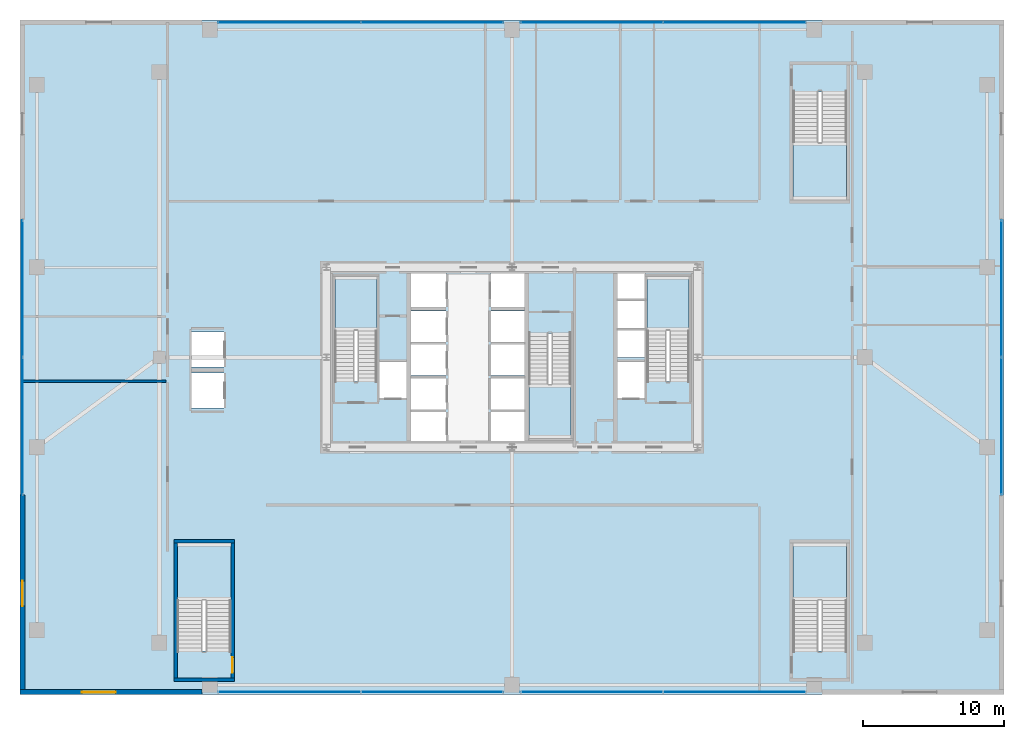
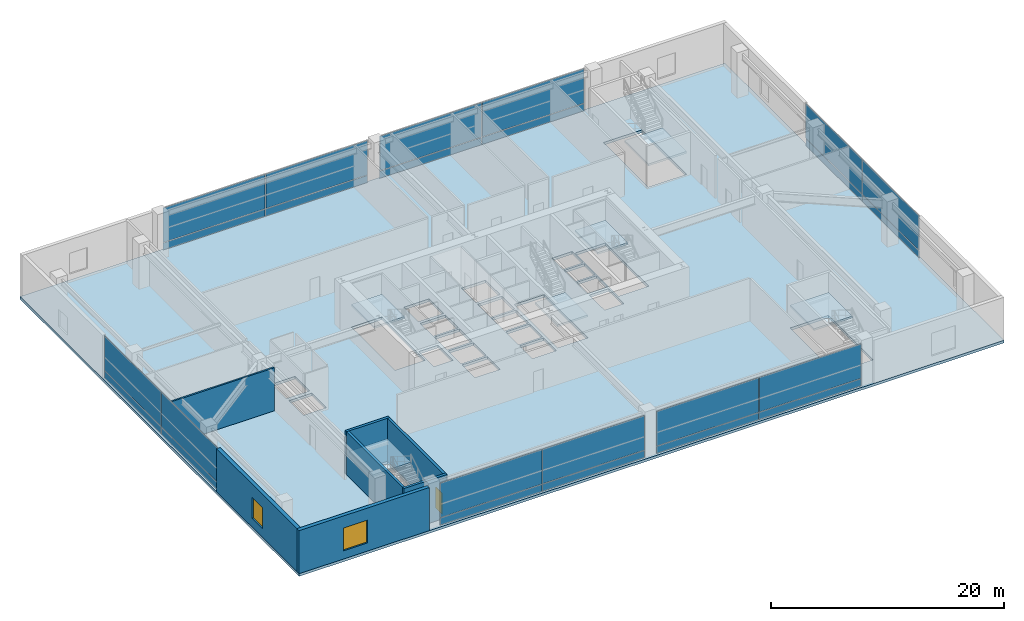
# One storey, part 32 of 38: 24 plates, 7 slabs, 7 walls, 2 windows, 1 door, 3 openings, 12 elements without a shape of their own.
"""IFC4 building model written with IfcOpenShell, lengths in metres."""

from ifc_helpers import new_model, si_unit, direction, frame, frame_2d, origin, origin_2d, place, context, subcontext, project, spatial, polyline, rectangle, outline, extrude, source, transform, mapped, material, layer, layer_set, type_object, element, fill, aggregate, save


model = new_model("IFC4")

# Units and contexts
model_context = context("Model", 3, precision=1e-05, world=origin(), true_north=direction((0.0, 1.0)))
body_context = subcontext(model_context, "Body", "Model", "MODEL_VIEW")
ifc_project = project(units=[si_unit("LENGTHUNIT", "METRE"), si_unit("AREAUNIT", "SQUARE_METRE"), si_unit("VOLUMEUNIT", "CUBIC_METRE"), si_unit("PLANEANGLEUNIT", "RADIAN"), si_unit("MASSUNIT", "GRAM", prefix="KILO"), si_unit("THERMODYNAMICTEMPERATUREUNIT", "KELVIN"), si_unit("POWERUNIT", "WATT")], contexts=[model_context])

# Site, building, storey
site_placement = place(None, origin())
site = spatial("IfcSite", under=ifc_project, at=site_placement, CompositionType="ELEMENT")
building_placement = place(site_placement, origin())
building = spatial("IfcBuilding", under=site, at=building_placement, Name="Yuzanri Waterfront Tower", CompositionType="ELEMENT")
storey_placement = place(building_placement, frame((0.0, 0.0, 10.199951171875)))
storey = spatial("IfcBuildingStorey", under=building, at=storey_placement, Name="L03", CompositionType="ELEMENT", Elevation=10.199951171875)

# Stair, slab
ifc_material_1 = material(Name="Concrete C40", Category="concrete")
stair_type_1 = type_object("IfcStairType", Name="Concrete C40 Core Dogleg Exit Stair", PredefinedType="HALF_TURN_STAIR", material=ifc_material_1)
stair_1_placement = place(storey_placement, origin())
stair_1 = element("IfcStair", 1, at=stair_1_placement, inside=storey, type_object=stair_type_1, Name="L03 Smoke-Proof Core Stair ST-01", PredefinedType="HALF_TURN_STAIR")
ifc_material_2 = material(Name="Concrete C40", Category="concrete")
ifc_layer_1 = layer(ifc_material_2, 0.179931640625)
ifc_layer_set_1 = layer_set([ifc_layer_1], Name="Concrete C40")
slab_type_1 = type_object("IfcSlabType", Name="Concrete C40 Stair Half-Landing Slab 180", PredefinedType="LANDING", material=ifc_layer_set_1)
slab_1_placement = place(storey_placement, frame((0.0, 0.0, 2.199951171875)))
slab_1 = element("IfcSlab", 2, at=slab_1_placement, type_object=slab_type_1, Name="ST-01 landing 1", PredefinedType="LANDING", context=body_context, shape_type="SweptSolid", body=[
    extrude(outline(polyline([(27.39990234375, 27.679931640625), (27.39990234375, 31.580078125), (24.39990234375, 31.580078125), (24.39990234375, 27.679931640625), (27.39990234375, 27.679931640625)])), origin(), (0.0, 0.0, 1.0), 0.2001953125),
])
aggregate(stair_1, [slab_1])

stair_2_placement = place(storey_placement, origin())
stair_2 = element("IfcStair", 3, at=stair_2_placement, inside=storey, type_object=stair_type_1, Name="L03 Smoke-Proof Core Stair ST-02", PredefinedType="HALF_TURN_STAIR")
slab_2_placement = place(storey_placement, frame((0.0, 0.0, 2.199951171875)))
slab_2 = element("IfcSlab", 4, at=slab_2_placement, type_object=slab_type_1, Name="ST-02 landing 1", PredefinedType="LANDING", context=body_context, shape_type="SweptSolid", body=[
    extrude(outline(polyline([(49.60009765625, 27.679931640625), (49.60009765625, 31.580078125), (46.60009765625, 31.580078125), (46.60009765625, 27.679931640625), (49.60009765625, 27.679931640625)])), origin(), (0.0, 0.0, 1.0), 0.2001953125),
])
aggregate(stair_2, [slab_2])

stair_3_placement = place(storey_placement, origin())
stair_3 = element("IfcStair", 5, at=stair_3_placement, inside=storey, type_object=stair_type_1, Name="L03 Smoke-Proof Core Stair ST-03", PredefinedType="HALF_TURN_STAIR")
slab_3_placement = place(storey_placement, frame((0.0, 0.0, 2.199951171875)))
slab_3 = element("IfcSlab", 6, at=slab_3_placement, type_object=slab_type_1, Name="ST-03 landing 1", PredefinedType="LANDING", context=body_context, shape_type="SweptSolid", body=[
    extrude(outline(polyline([(38.199951171875, 23.919921875), (38.199951171875, 20.02001953125), (41.199951171875, 20.02001953125), (41.199951171875, 23.919921875), (38.199951171875, 23.919921875)])), origin(), (0.0, 0.0, 1.0), 0.2001953125),
])
aggregate(stair_3, [slab_3])

ifc_material_3 = material(Name="Concrete C40", Category="concrete")
stair_type_2 = type_object("IfcStairType", Name="Concrete C40 Podium Dogleg Exit Stair", PredefinedType="HALF_TURN_STAIR", material=ifc_material_3)
stair_4_placement = place(storey_placement, origin())
stair_4 = element("IfcStair", 7, at=stair_4_placement, inside=storey, type_object=stair_type_2, Name="L03 Podium Public Exit Stair PST-01", PredefinedType="HALF_TURN_STAIR")
slab_4_placement = place(storey_placement, frame((0.0, 0.0, 2.199951171875)))
slab_4 = element("IfcSlab", 8, at=slab_4_placement, type_object=slab_type_1, Name="PST-01 landing 1", PredefinedType="LANDING", context=body_context, shape_type="SweptSolid", body=[
    extrude(outline(polyline([(17.0, 8.489990234375), (17.0, 12.60009765625), (13.199951171875, 12.60009765625), (13.199951171875, 8.489990234375), (17.0, 8.489990234375)])), origin(), (0.0, 0.0, 1.0), 0.2001953125),
])
aggregate(stair_4, [slab_4])

stair_5_placement = place(storey_placement, origin())
stair_5 = element("IfcStair", 9, at=stair_5_placement, inside=storey, type_object=stair_type_2, Name="L03 Podium Public Exit Stair PST-02", PredefinedType="HALF_TURN_STAIR")
slab_5_placement = place(storey_placement, frame((0.0, 0.0, 2.199951171875)))
slab_5 = element("IfcSlab", 10, at=slab_5_placement, type_object=slab_type_1, Name="PST-02 landing 1", PredefinedType="LANDING", context=body_context, shape_type="SweptSolid", body=[
    extrude(outline(polyline([(60.800048828125, 8.489990234375), (60.800048828125, 12.60009765625), (57.0, 12.60009765625), (57.0, 8.489990234375), (60.800048828125, 8.489990234375)])), origin(), (0.0, 0.0, 1.0), 0.2001953125),
])
aggregate(stair_5, [slab_5])

stair_6_placement = place(storey_placement, origin())
stair_6 = element("IfcStair", 11, at=stair_6_placement, inside=storey, type_object=stair_type_2, Name="L03 Podium Public Exit Stair PST-03", PredefinedType="HALF_TURN_STAIR")
slab_6_placement = place(storey_placement, frame((0.0, 0.0, 2.199951171875)))
slab_6 = element("IfcSlab", 12, at=slab_6_placement, type_object=slab_type_1, Name="PST-03 landing 1", PredefinedType="LANDING", context=body_context, shape_type="SweptSolid", body=[
    extrude(outline(polyline([(57.0, 41.110107421875), (57.0, 37.0), (60.800048828125, 37.0), (60.800048828125, 41.110107421875), (57.0, 41.110107421875)])), origin(), (0.0, 0.0, 1.0), 0.2001953125),
])
aggregate(stair_6, [slab_6])

# Slab
ifc_material_4 = material(Name="Concrete C45", Category="concrete")
ifc_layer_2 = layer(ifc_material_4, 0.280029296875)
ifc_layer_set_2 = layer_set([ifc_layer_2], Name="Concrete C45")
slab_type_2 = type_object("IfcSlabType", Name="Concrete C45 Podium and Refuge Structural Floor Slab 280", PredefinedType="FLOOR", material=ifc_layer_set_2)
slab_7_placement = place(storey_placement, frame((0.0, 0.0, -0.280029296875)))
element("IfcSlab", 13, at=slab_7_placement, inside=storey, type_object=slab_type_2, Name="L03 Main Structural Floor Slab", PredefinedType="FLOOR", context=body_context, shape_type="SweptSolid", body=[
    extrude(outline(polyline([(2.0, 1.800048828125), (72.0, 1.800048828125), (72.0, 49.800048828125), (2.0, 49.800048828125), (2.0, 1.800048828125)]), holes=[polyline([(27.39990234375, 24.10009765625), (27.39990234375, 31.580078125), (24.39990234375, 31.580078125), (24.39990234375, 24.10009765625), (27.39990234375, 24.10009765625)]), polyline([(49.60009765625, 24.10009765625), (49.60009765625, 31.580078125), (46.60009765625, 31.580078125), (46.60009765625, 24.10009765625), (49.60009765625, 24.10009765625)]), polyline([(38.199951171875, 27.5), (38.199951171875, 20.02001953125), (41.199951171875, 20.02001953125), (41.199951171875, 27.5), (38.199951171875, 27.5)]), polyline([(17.0, 4.909912109375), (17.0, 12.60009765625), (13.199951171875, 12.60009765625), (13.199951171875, 4.909912109375), (17.0, 4.909912109375)]), polyline([(60.800048828125, 4.909912109375), (60.800048828125, 12.60009765625), (57.0, 12.60009765625), (57.0, 4.909912109375), (60.800048828125, 4.909912109375)]), polyline([(57.0, 44.68994140625), (57.0, 37.0), (60.800048828125, 37.0), (60.800048828125, 44.68994140625), (57.0, 44.68994140625)]), polyline([(27.56005859375, 22.89990234375), (29.47998046875, 22.89990234375), (29.47998046875, 25.5), (27.56005859375, 25.5), (27.56005859375, 22.89990234375)]), polyline([(44.52001953125, 22.89990234375), (46.43994140625, 22.89990234375), (46.43994140625, 25.5), (44.52001953125, 25.5), (44.52001953125, 22.89990234375)]), polyline([(29.800048828125, 19.699951171875), (32.300048828125, 19.699951171875), (32.300048828125, 21.89990234375), (29.800048828125, 21.89990234375), (29.800048828125, 19.699951171875)]), polyline([(29.800048828125, 22.10009765625), (32.300048828125, 22.10009765625), (32.300048828125, 24.300048828125), (29.800048828125, 24.300048828125), (29.800048828125, 22.10009765625)]), polyline([(29.800048828125, 24.5), (32.300048828125, 24.5), (32.300048828125, 26.699951171875), (29.800048828125, 26.699951171875), (29.800048828125, 24.5)]), polyline([(29.800048828125, 26.89990234375), (32.300048828125, 26.89990234375), (32.300048828125, 29.10009765625), (29.800048828125, 29.10009765625), (29.800048828125, 26.89990234375)]), polyline([(29.800048828125, 29.39990234375), (32.300048828125, 29.39990234375), (32.300048828125, 31.89990234375), (29.800048828125, 31.89990234375), (29.800048828125, 29.39990234375)]), polyline([(35.5, 19.699951171875), (37.89990234375, 19.699951171875), (37.89990234375, 21.89990234375), (35.5, 21.89990234375), (35.5, 19.699951171875)]), polyline([(35.5, 22.10009765625), (37.89990234375, 22.10009765625), (37.89990234375, 24.300048828125), (35.5, 24.300048828125), (35.5, 22.10009765625)]), polyline([(35.5, 24.5), (37.89990234375, 24.5), (37.89990234375, 26.699951171875), (35.5, 26.699951171875), (35.5, 24.5)]), polyline([(35.5, 26.89990234375), (37.89990234375, 26.89990234375), (37.89990234375, 29.10009765625), (35.5, 29.10009765625), (35.5, 26.89990234375)]), polyline([(35.5, 29.39990234375), (37.89990234375, 29.39990234375), (37.89990234375, 31.89990234375), (35.5, 31.89990234375), (35.5, 29.39990234375)]), polyline([(44.5, 25.800048828125), (46.5, 25.800048828125), (46.5, 27.699951171875), (44.5, 27.699951171875), (44.5, 25.800048828125)]), polyline([(44.5, 27.89990234375), (46.5, 27.89990234375), (46.5, 29.800048828125), (44.5, 29.800048828125), (44.5, 27.89990234375)]), polyline([(44.5, 30.0), (46.5, 30.0), (46.5, 31.89990234375), (44.5, 31.89990234375), (44.5, 30.0)]), polyline([(14.199951171875, 22.199951171875), (16.5, 22.199951171875), (16.5, 24.699951171875), (14.199951171875, 24.699951171875), (14.199951171875, 22.199951171875)]), polyline([(14.199951171875, 25.10009765625), (16.5, 25.10009765625), (16.5, 27.60009765625), (14.199951171875, 27.60009765625), (14.199951171875, 25.10009765625)])]), origin(), (0.0, 0.0, 1.0), 0.280029296875),
])

# Curtain wall, plates
ifc_material_5 = material(Name="Anodized Architectural Bronze", Category="metal")
ifc_layer_3 = layer(ifc_material_5, 0.159912109375)
ifc_layer_set_3 = layer_set([ifc_layer_3], Name="Anodized Architectural Bronze")
curtain_wall_type = type_object("IfcCurtainWallType", Name="Anodized Bronze Podium Waterfront Double-Height Unitized Curtain Wall 8400", PredefinedType="NOTDEFINED", material=ifc_layer_set_3)
curtain_wall_1_placement = place(storey_placement, origin())
curtain_wall_1 = element("IfcCurtainWall", 14, at=curtain_wall_1_placement, inside=storey, type_object=curtain_wall_type, Name="L03 Curtain Wall CW-L03-W", PredefinedType="NOTDEFINED")
ifc_material_6 = material(Name="Anodized Architectural Bronze", Category="metal")
ifc_layer_4 = layer(ifc_material_6, 0.028076171875)
ifc_layer_set_4 = layer_set([ifc_layer_4], Name="Anodized Architectural Bronze")
plate_type_1 = type_object("IfcPlateType", Name="Bronze Insulated Spandrel Shadow-Box Panel 28", PredefinedType="CURTAIN_PANEL", material=ifc_layer_set_4)
shared_shape_1 = source(origin(), body_context, "Body", "SweptSolid", [
    extrude(rectangle(XDim=9.719970703125, YDim=0.028076171875, at=origin_2d()), origin(), (0.0, 0.0, 1.0), 0.739990234375),
])
plate_1_placement = place(storey_placement, frame((2.179931640625, 20.89990234375, 0.05029296875), z_axis=(0.0, 0.0, 1.0), x_axis=(0.0, 1.0, 0.0)))
plate_1 = element("IfcPlate", 15, at=plate_1_placement, type_object=plate_type_1, Name="CW-L03-W Spandrel Panel 01", PredefinedType="CURTAIN_PANEL", context=body_context, shape_type="MappedRepresentation", body=[
    mapped(shared_shape_1, transform((0.0, 0.0, 0.0), scale=1.0)),
])
plate_2_placement = place(storey_placement, frame((2.179931640625, 30.699951171875, 0.05029296875), z_axis=(0.0, 0.0, 1.0), x_axis=(0.0, 1.0, 0.0)))
plate_2 = element("IfcPlate", 16, at=plate_2_placement, type_object=plate_type_1, Name="CW-L03-W Spandrel Panel 02", PredefinedType="CURTAIN_PANEL", context=body_context, shape_type="MappedRepresentation", body=[
    mapped(shared_shape_1, transform((0.0, 0.0, 0.0), scale=1.0)),
])

curtain_wall_2_placement = place(storey_placement, origin())
curtain_wall_2 = element("IfcCurtainWall", 17, at=curtain_wall_2_placement, inside=storey, type_object=curtain_wall_type, Name="L03 Curtain Wall CW-L03-E", PredefinedType="NOTDEFINED")
plate_3_placement = place(storey_placement, frame((71.820068359375, 20.89990234375, 0.05029296875), z_axis=(0.0, 0.0, 1.0), x_axis=(0.0, 1.0, 0.0)))
plate_3 = element("IfcPlate", 18, at=plate_3_placement, type_object=plate_type_1, Name="CW-L03-E Spandrel Panel 01", PredefinedType="CURTAIN_PANEL", context=body_context, shape_type="MappedRepresentation", body=[
    mapped(shared_shape_1, transform((0.0, 0.0, 0.0), scale=1.0)),
])
plate_4_placement = place(storey_placement, frame((71.820068359375, 30.699951171875, 0.05029296875), z_axis=(0.0, 0.0, 1.0), x_axis=(0.0, 1.0, 0.0)))
plate_4 = element("IfcPlate", 19, at=plate_4_placement, type_object=plate_type_1, Name="CW-L03-E Spandrel Panel 02", PredefinedType="CURTAIN_PANEL", context=body_context, shape_type="MappedRepresentation", body=[
    mapped(shared_shape_1, transform((0.0, 0.0, 0.0), scale=1.0)),
])

curtain_wall_3_placement = place(storey_placement, origin())
curtain_wall_3 = element("IfcCurtainWall", 20, at=curtain_wall_3_placement, inside=storey, type_object=curtain_wall_type, Name="L03 Curtain Wall CW-L03-S1", PredefinedType="NOTDEFINED")
shared_shape_2 = source(origin(), body_context, "Body", "SweptSolid", [
    extrude(rectangle(XDim=10.10009765625, YDim=0.028076171875, at=origin_2d()), origin(), (0.0, 0.0, 1.0), 0.739990234375),
])
plate_5_placement = place(storey_placement, frame((21.159912109375, 1.97998046875, 0.05029296875), z_axis=(0.0, 0.0, 1.0), x_axis=(1.0, 0.0, 0.0)))
plate_5 = element("IfcPlate", 21, at=plate_5_placement, type_object=plate_type_1, Name="CW-L03-S1 Spandrel Panel 01", PredefinedType="CURTAIN_PANEL", context=body_context, shape_type="MappedRepresentation", body=[
    mapped(shared_shape_2, transform((0.0, 0.0, 0.0), scale=1.0)),
])
plate_6_placement = place(storey_placement, frame((31.340087890625, 1.97998046875, 0.05029296875), z_axis=(0.0, 0.0, 1.0), x_axis=(1.0, 0.0, 0.0)))
plate_6 = element("IfcPlate", 22, at=plate_6_placement, type_object=plate_type_1, Name="CW-L03-S1 Spandrel Panel 02", PredefinedType="CURTAIN_PANEL", context=body_context, shape_type="MappedRepresentation", body=[
    mapped(shared_shape_2, transform((0.0, 0.0, 0.0), scale=1.0)),
])

curtain_wall_4_placement = place(storey_placement, origin())
curtain_wall_4 = element("IfcCurtainWall", 23, at=curtain_wall_4_placement, inside=storey, type_object=curtain_wall_type, Name="L03 Curtain Wall CW-L03-S2", PredefinedType="NOTDEFINED")
plate_7_placement = place(storey_placement, frame((42.659912109375, 1.97998046875, 0.05029296875), z_axis=(0.0, 0.0, 1.0), x_axis=(1.0, 0.0, 0.0)))
plate_7 = element("IfcPlate", 24, at=plate_7_placement, type_object=plate_type_1, Name="CW-L03-S2 Spandrel Panel 01", PredefinedType="CURTAIN_PANEL", context=body_context, shape_type="MappedRepresentation", body=[
    mapped(shared_shape_2, transform((0.0, 0.0, 0.0), scale=1.0)),
])
plate_8_placement = place(storey_placement, frame((52.840087890625, 1.97998046875, 0.05029296875), z_axis=(0.0, 0.0, 1.0), x_axis=(1.0, 0.0, 0.0)))
plate_8 = element("IfcPlate", 25, at=plate_8_placement, type_object=plate_type_1, Name="CW-L03-S2 Spandrel Panel 02", PredefinedType="CURTAIN_PANEL", context=body_context, shape_type="MappedRepresentation", body=[
    mapped(shared_shape_2, transform((0.0, 0.0, 0.0), scale=1.0)),
])

curtain_wall_5_placement = place(storey_placement, origin())
curtain_wall_5 = element("IfcCurtainWall", 26, at=curtain_wall_5_placement, inside=storey, type_object=curtain_wall_type, Name="L03 Curtain Wall CW-L03-N1", PredefinedType="NOTDEFINED")
plate_9_placement = place(storey_placement, frame((21.159912109375, 49.6201171875, 0.05029296875), z_axis=(0.0, 0.0, 1.0), x_axis=(1.0, 0.0, 0.0)))
plate_9 = element("IfcPlate", 27, at=plate_9_placement, type_object=plate_type_1, Name="CW-L03-N1 Spandrel Panel 01", PredefinedType="CURTAIN_PANEL", context=body_context, shape_type="MappedRepresentation", body=[
    mapped(shared_shape_2, transform((0.0, 0.0, 0.0), scale=1.0)),
])
plate_10_placement = place(storey_placement, frame((31.340087890625, 49.6201171875, 0.05029296875), z_axis=(0.0, 0.0, 1.0), x_axis=(1.0, 0.0, 0.0)))
plate_10 = element("IfcPlate", 28, at=plate_10_placement, type_object=plate_type_1, Name="CW-L03-N1 Spandrel Panel 02", PredefinedType="CURTAIN_PANEL", context=body_context, shape_type="MappedRepresentation", body=[
    mapped(shared_shape_2, transform((0.0, 0.0, 0.0), scale=1.0)),
])

curtain_wall_6_placement = place(storey_placement, origin())
curtain_wall_6 = element("IfcCurtainWall", 29, at=curtain_wall_6_placement, inside=storey, type_object=curtain_wall_type, Name="L03 Curtain Wall CW-L03-N2", PredefinedType="NOTDEFINED")
plate_11_placement = place(storey_placement, frame((42.659912109375, 49.6201171875, 0.05029296875), z_axis=(0.0, 0.0, 1.0), x_axis=(1.0, 0.0, 0.0)))
plate_11 = element("IfcPlate", 30, at=plate_11_placement, type_object=plate_type_1, Name="CW-L03-N2 Spandrel Panel 01", PredefinedType="CURTAIN_PANEL", context=body_context, shape_type="MappedRepresentation", body=[
    mapped(shared_shape_2, transform((0.0, 0.0, 0.0), scale=1.0)),
])
plate_12_placement = place(storey_placement, frame((52.840087890625, 49.6201171875, 0.05029296875), z_axis=(0.0, 0.0, 1.0), x_axis=(1.0, 0.0, 0.0)))
plate_12 = element("IfcPlate", 31, at=plate_12_placement, type_object=plate_type_1, Name="CW-L03-N2 Spandrel Panel 02", PredefinedType="CURTAIN_PANEL", context=body_context, shape_type="MappedRepresentation", body=[
    mapped(shared_shape_2, transform((0.0, 0.0, 0.0), scale=1.0)),
])

# Plate
ifc_material_7 = material(Name="Double-Silver Low-E Insulated Glass", Category="glass")
ifc_layer_5 = layer(ifc_material_7, 0.035888671875)
ifc_layer_set_5 = layer_set([ifc_layer_5], Name="Double-Silver Low-E Insulated Glass")
plate_type_2 = type_object("IfcPlateType", Name="Double Silver Low-E Insulated Vision Glass Panel 36", PredefinedType="CURTAIN_PANEL", material=ifc_layer_set_5)
shared_shape_3 = source(origin(), body_context, "Body", "SweptSolid", [
    extrude(rectangle(XDim=10.10009765625, YDim=0.035888671875, at=origin_2d()), origin(), (0.0, 0.0, 1.0), 3.6201171875),
])
plate_13_placement = place(storey_placement, frame((21.159912109375, 1.97998046875, 0.85009765625), z_axis=(0.0, 0.0, 1.0), x_axis=(1.0, 0.0, 0.0)))
plate_13 = element("IfcPlate", 32, at=plate_13_placement, type_object=plate_type_2, Name="CW-L03-S1 Vision Glass Panel 01", PredefinedType="CURTAIN_PANEL", context=body_context, shape_type="MappedRepresentation", body=[
    mapped(shared_shape_3, transform((0.0, 0.0, 0.0), scale=1.0)),
])

plate_14_placement = place(storey_placement, frame((31.340087890625, 1.97998046875, 0.85009765625), z_axis=(0.0, 0.0, 1.0), x_axis=(1.0, 0.0, 0.0)))
plate_14 = element("IfcPlate", 33, at=plate_14_placement, type_object=plate_type_2, Name="CW-L03-S1 Vision Glass Panel 02", PredefinedType="CURTAIN_PANEL", context=body_context, shape_type="MappedRepresentation", body=[
    mapped(shared_shape_3, transform((0.0, 0.0, 0.0), scale=1.0)),
])

aggregate(curtain_wall_3, [plate_5, plate_13, plate_6, plate_14])

plate_15_placement = place(storey_placement, frame((42.659912109375, 1.97998046875, 0.85009765625), z_axis=(0.0, 0.0, 1.0), x_axis=(1.0, 0.0, 0.0)))
plate_15 = element("IfcPlate", 34, at=plate_15_placement, type_object=plate_type_2, Name="CW-L03-S2 Vision Glass Panel 01", PredefinedType="CURTAIN_PANEL", context=body_context, shape_type="MappedRepresentation", body=[
    mapped(shared_shape_3, transform((0.0, 0.0, 0.0), scale=1.0)),
])

plate_16_placement = place(storey_placement, frame((52.840087890625, 1.97998046875, 0.85009765625), z_axis=(0.0, 0.0, 1.0), x_axis=(1.0, 0.0, 0.0)))
plate_16 = element("IfcPlate", 35, at=plate_16_placement, type_object=plate_type_2, Name="CW-L03-S2 Vision Glass Panel 02", PredefinedType="CURTAIN_PANEL", context=body_context, shape_type="MappedRepresentation", body=[
    mapped(shared_shape_3, transform((0.0, 0.0, 0.0), scale=1.0)),
])

aggregate(curtain_wall_4, [plate_7, plate_15, plate_8, plate_16])

plate_17_placement = place(storey_placement, frame((21.159912109375, 49.6201171875, 0.85009765625), z_axis=(0.0, 0.0, 1.0), x_axis=(1.0, 0.0, 0.0)))
plate_17 = element("IfcPlate", 36, at=plate_17_placement, type_object=plate_type_2, Name="CW-L03-N1 Vision Glass Panel 01", PredefinedType="CURTAIN_PANEL", context=body_context, shape_type="MappedRepresentation", body=[
    mapped(shared_shape_3, transform((0.0, 0.0, 0.0), scale=1.0)),
])

plate_18_placement = place(storey_placement, frame((31.340087890625, 49.6201171875, 0.85009765625), z_axis=(0.0, 0.0, 1.0), x_axis=(1.0, 0.0, 0.0)))
plate_18 = element("IfcPlate", 37, at=plate_18_placement, type_object=plate_type_2, Name="CW-L03-N1 Vision Glass Panel 02", PredefinedType="CURTAIN_PANEL", context=body_context, shape_type="MappedRepresentation", body=[
    mapped(shared_shape_3, transform((0.0, 0.0, 0.0), scale=1.0)),
])

aggregate(curtain_wall_5, [plate_9, plate_17, plate_10, plate_18])

plate_19_placement = place(storey_placement, frame((42.659912109375, 49.6201171875, 0.85009765625), z_axis=(0.0, 0.0, 1.0), x_axis=(1.0, 0.0, 0.0)))
plate_19 = element("IfcPlate", 38, at=plate_19_placement, type_object=plate_type_2, Name="CW-L03-N2 Vision Glass Panel 01", PredefinedType="CURTAIN_PANEL", context=body_context, shape_type="MappedRepresentation", body=[
    mapped(shared_shape_3, transform((0.0, 0.0, 0.0), scale=1.0)),
])

plate_20_placement = place(storey_placement, frame((52.840087890625, 49.6201171875, 0.85009765625), z_axis=(0.0, 0.0, 1.0), x_axis=(1.0, 0.0, 0.0)))
plate_20 = element("IfcPlate", 39, at=plate_20_placement, type_object=plate_type_2, Name="CW-L03-N2 Vision Glass Panel 02", PredefinedType="CURTAIN_PANEL", context=body_context, shape_type="MappedRepresentation", body=[
    mapped(shared_shape_3, transform((0.0, 0.0, 0.0), scale=1.0)),
])

aggregate(curtain_wall_6, [plate_11, plate_19, plate_12, plate_20])

shared_shape_4 = source(origin(), body_context, "Body", "SweptSolid", [
    extrude(rectangle(XDim=9.719970703125, YDim=0.035888671875, at=origin_2d()), origin(), (0.0, 0.0, 1.0), 3.6201171875),
])
plate_21_placement = place(storey_placement, frame((2.179931640625, 20.89990234375, 0.85009765625), z_axis=(0.0, 0.0, 1.0), x_axis=(0.0, 1.0, 0.0)))
plate_21 = element("IfcPlate", 40, at=plate_21_placement, type_object=plate_type_2, Name="CW-L03-W Vision Glass Panel 01", PredefinedType="CURTAIN_PANEL", context=body_context, shape_type="MappedRepresentation", body=[
    mapped(shared_shape_4, transform((0.0, 0.0, 0.0), scale=1.0)),
])

plate_22_placement = place(storey_placement, frame((2.179931640625, 30.699951171875, 0.85009765625), z_axis=(0.0, 0.0, 1.0), x_axis=(0.0, 1.0, 0.0)))
plate_22 = element("IfcPlate", 41, at=plate_22_placement, type_object=plate_type_2, Name="CW-L03-W Vision Glass Panel 02", PredefinedType="CURTAIN_PANEL", context=body_context, shape_type="MappedRepresentation", body=[
    mapped(shared_shape_4, transform((0.0, 0.0, 0.0), scale=1.0)),
])

aggregate(curtain_wall_1, [plate_1, plate_21, plate_2, plate_22])

plate_23_placement = place(storey_placement, frame((71.820068359375, 20.89990234375, 0.85009765625), z_axis=(0.0, 0.0, 1.0), x_axis=(0.0, 1.0, 0.0)))
plate_23 = element("IfcPlate", 42, at=plate_23_placement, type_object=plate_type_2, Name="CW-L03-E Vision Glass Panel 01", PredefinedType="CURTAIN_PANEL", context=body_context, shape_type="MappedRepresentation", body=[
    mapped(shared_shape_4, transform((0.0, 0.0, 0.0), scale=1.0)),
])

plate_24_placement = place(storey_placement, frame((71.820068359375, 30.699951171875, 0.85009765625), z_axis=(0.0, 0.0, 1.0), x_axis=(0.0, 1.0, 0.0)))
plate_24 = element("IfcPlate", 43, at=plate_24_placement, type_object=plate_type_2, Name="CW-L03-E Vision Glass Panel 02", PredefinedType="CURTAIN_PANEL", context=body_context, shape_type="MappedRepresentation", body=[
    mapped(shared_shape_4, transform((0.0, 0.0, 0.0), scale=1.0)),
])

aggregate(curtain_wall_2, [plate_3, plate_23, plate_4, plate_24])

# Wall, opening, window
ifc_material_8 = material(Name="Honed Chongqing Dark Basalt Stone", Category="masonry")
ifc_layer_6 = layer(ifc_material_8, 0.360107421875)
ifc_layer_set_6 = layer_set([ifc_layer_6], Name="Honed Chongqing Dark Basalt Stone")
wall_type_1 = type_object("IfcWallType", Name="Honed Basalt Stone Masonry-Frame Spandrel Wall 360", PredefinedType="SOLIDWALL", material=ifc_layer_set_6)
wall_1_placement = place(storey_placement, frame((2.0, 1.97998046875, 0.0), z_axis=(0.0, 0.0, 1.0), x_axis=(1.0, 0.0, 0.0)))
wall_1 = element("IfcWall", 44, at=wall_1_placement, inside=storey, type_object=wall_type_1, Name="L03 South-West Basalt Pier", PredefinedType="SOLIDWALL", context=body_context, shape_type="SweptSolid", body=[
    extrude(rectangle(XDim=12.929931640625, YDim=0.360107421875, at=frame_2d((6.46484375, 0.0))), origin(), (0.0, 0.0, 1.0), 4.52001953125),
])
opening_1_placement = place(wall_1_placement, frame((4.39990234375, 0.0, 0.85009765625)))
opening_1 = element("IfcOpeningElement", 45, at=opening_1_placement, cuts=wall_1, Name="Opening WN-03", PredefinedType="OPENING", context=body_context, shape_type="SweptSolid", body=[
    extrude(rectangle(XDim=2.39990234375, YDim=2.39990234375, at=frame_2d((1.199951171875, 1.199951171875))), frame((0.0, 0.19482421875, 0.0), z_axis=(0.0, -1.0, 0.0), x_axis=(1.0, 0.0, 0.0)), (0.0, 0.0, 1.0), 0.389892578125),
])
ifc_material_9 = material(Name="Double-Silver Low-E Insulated Glass", Category="glass")
window_type_1 = type_object("IfcWindowType", Name="Anodized Bronze Podium Waterfront Picture Window 2400x2400", PartitioningType="SINGLE_PANEL", PredefinedType="WINDOW", material=ifc_material_9)
shared_shape_5 = source(origin(), body_context, "Body", "SweptSolid", [
    extrude(rectangle(XDim=2.39990234375, YDim=2.39990234375, at=frame_2d((1.199951171875, 1.199951171875))), frame((0.0, 0.030029296875, 0.0), z_axis=(0.0, -1.0, 0.0), x_axis=(1.0, 0.0, 0.0)), (0.0, 0.0, 1.0), 0.06005859375),
])
window_1_placement = place(opening_1_placement, origin())
window_1 = element("IfcWindow", 46, at=window_1_placement, inside=storey, type_object=window_type_1, Name="L03 SW Waterfront Window", OverallHeight=2.39990234375, OverallWidth=2.39990234375, PartitioningType="SINGLE_PANEL", PredefinedType="WINDOW", context=body_context, shape_type="MappedRepresentation", body=[
    mapped(shared_shape_5, transform((0.0, 0.0, 0.0), scale=1.0)),
])
fill(opening_1, window_1)

wall_2_placement = place(storey_placement, frame((2.179931640625, 2.159912109375, 0.0), z_axis=(0.0, 0.0, 1.0), x_axis=(0.0, 1.0, 0.0)))
wall_2 = element("IfcWall", 47, at=wall_2_placement, inside=storey, type_object=wall_type_1, Name="L03 W South Basalt Pier", PredefinedType="SOLIDWALL", context=body_context, shape_type="SweptSolid", body=[
    extrude(rectangle(XDim=13.840087890625, YDim=0.360107421875, at=frame_2d((6.919921875, 0.0))), origin(), (0.0, 0.0, 1.0), 4.52001953125),
])
opening_2_placement = place(wall_2_placement, frame((5.93994140625, 0.0, 0.89990234375)))
opening_2 = element("IfcOpeningElement", 48, at=opening_2_placement, cuts=wall_2, Name="Opening WN-01", PredefinedType="OPENING", context=body_context, shape_type="SweptSolid", body=[
    extrude(rectangle(XDim=1.800048828125, YDim=2.199951171875, at=frame_2d((0.89990234375, 1.10009765625))), frame((0.0, 0.19482421875, 0.0), z_axis=(0.0, -1.0, 0.0), x_axis=(1.0, 0.0, 0.0)), (0.0, 0.0, 1.0), 0.389892578125),
])
ifc_material_10 = material(Name="Double-Silver Low-E Insulated Glass", Category="glass")
window_type_2 = type_object("IfcWindowType", Name="Anodized Bronze Recessed Bronze Frame Double Casement Window 1800x2200", PartitioningType="SINGLE_PANEL", PredefinedType="WINDOW", material=ifc_material_10)
shared_shape_6 = source(origin(), body_context, "Body", "SweptSolid", [
    extrude(rectangle(XDim=1.800048828125, YDim=2.199951171875, at=frame_2d((0.89990234375, 1.10009765625))), frame((0.0, 0.030029296875, 0.0), z_axis=(0.0, -1.0, 0.0), x_axis=(1.0, 0.0, 0.0)), (0.0, 0.0, 1.0), 0.06005859375),
])
window_2_placement = place(opening_2_placement, origin())
window_2 = element("IfcWindow", 49, at=window_2_placement, inside=storey, type_object=window_type_2, Name="L03 WS Window", OverallHeight=2.199951171875, OverallWidth=1.800048828125, PartitioningType="SINGLE_PANEL", PredefinedType="WINDOW", context=body_context, shape_type="MappedRepresentation", body=[
    mapped(shared_shape_6, transform((0.0, 0.0, 0.0), scale=1.0)),
])
fill(opening_2, window_2)

# Wall, opening, door
ifc_material_11 = material(Name="Concrete C40", Category="concrete")
ifc_layer_7 = layer(ifc_material_11, 0.25)
ifc_layer_set_7 = layer_set([ifc_layer_7], Name="Concrete C40")
wall_type_2 = type_object("IfcWallType", Name="Smoke-Proof Stair and Lift Shaft Wall 250", PredefinedType="SOLIDWALL", material=ifc_layer_set_7)
wall_3_placement = place(storey_placement, frame((17.125, 3.0, 0.0), z_axis=(0.0, 0.0, 1.0), x_axis=(0.0, 1.0, 0.0)))
wall_3 = element("IfcWall", 50, at=wall_3_placement, inside=storey, type_object=wall_type_2, Name="L03 Shaft Wall PSTW-L03-PST-01-E", PredefinedType="SOLIDWALL", context=body_context, shape_type="SweptSolid", body=[
    extrude(rectangle(XDim=9.60009765625, YDim=0.25, at=frame_2d((4.800048828125, 0.0))), origin(), (0.0, 0.0, 1.0), 4.52001953125),
])
opening_3_placement = place(wall_3_placement, frame((0.35009765625, 0.0, 0.0)))
opening_3 = element("IfcOpeningElement", 51, at=opening_3_placement, cuts=wall_3, Name="Opening FD-1100", PredefinedType="OPENING", context=body_context, shape_type="SweptSolid", body=[
    extrude(rectangle(XDim=1.10009765625, YDim=2.199951171875, at=frame_2d((0.550048828125, 1.10009765625))), frame((0.0, 0.139892578125, 0.0), z_axis=(0.0, -1.0, 0.0), x_axis=(1.0, 0.0, 0.0)), (0.0, 0.0, 1.0), 0.27978515625),
])
ifc_material_12 = material(Name="Painted Galvanized Fire Steel", Category="steel")
door_type = type_object("IfcDoorType", Name="Smoke-Proof Stair and Lobby Fire Door 1100x2200", OperationType="NOTDEFINED", PredefinedType="DOOR", material=ifc_material_12)
shared_shape_7 = source(origin(), body_context, "Body", "SweptSolid", [
    extrude(rectangle(XDim=1.10009765625, YDim=2.199951171875, at=frame_2d((0.550048828125, 1.10009765625))), frame((0.0, 0.02490234375, 0.0), z_axis=(0.0, -1.0, 0.0), x_axis=(1.0, 0.0, 0.0)), (0.0, 0.0, 1.0), 0.050048828125),
])
door_placement = place(opening_3_placement, origin())
door = element("IfcDoor", 52, at=door_placement, inside=storey, type_object=door_type, Name="L03 PST-01 Stair Door", OperationType="SINGLE_SWING_LEFT", OverallHeight=2.199951171875, OverallWidth=1.10009765625, PredefinedType="DOOR", context=body_context, shape_type="MappedRepresentation", body=[
    mapped(shared_shape_7, transform((0.0, 0.0, 0.0), scale=1.0)),
])
fill(opening_3, door)

# Walls
shared_shape_8 = source(origin(), body_context, "Body", "SweptSolid", [
    extrude(rectangle(XDim=4.300048828125, YDim=0.25, at=frame_2d((2.14990234375, 0.0))), origin(), (0.0, 0.0, 1.0), 4.52001953125),
])
for number, where, z_axis, x_axis, name in (
    (53, (12.949951171875, 2.875, 0.0), (0.0, 0.0, 1.0), (1.0, 0.0, 0.0), "L03 PST-01 South Wall"),
    (54, (12.949951171875, 12.72509765625, 0.0), (0.0, 0.0, 1.0), (1.0, 0.0, 0.0), "L03 PST-01 North Wall"),
):
    element("IfcWall", number, at=place(storey_placement, frame(where, z_axis=z_axis, x_axis=x_axis)), inside=storey, type_object=wall_type_2, Name=name, PredefinedType="SOLIDWALL", context=body_context, shape_type="MappedRepresentation", body=[
        mapped(shared_shape_8, transform((0.0, 0.0, 0.0), scale=1.0)),
    ])
shared_shape_9 = source(origin(), body_context, "Body", "SweptSolid", [
    extrude(rectangle(XDim=9.60009765625, YDim=0.25, at=frame_2d((4.800048828125, 0.0))), origin(), (0.0, 0.0, 1.0), 4.52001953125),
])
wall_4_placement = place(storey_placement, frame((13.074951171875, 3.0, 0.0), z_axis=(0.0, 0.0, 1.0), x_axis=(0.0, 1.0, 0.0)))
element("IfcWall", 55, at=wall_4_placement, inside=storey, type_object=wall_type_2, Name="L03 Shaft Wall PSTW-L03-PST-01-W", PredefinedType="SOLIDWALL", context=body_context, shape_type="MappedRepresentation", body=[
    mapped(shared_shape_9, transform((0.0, 0.0, 0.0), scale=1.0)),
])
ifc_material_13 = material(Name="Gypsum Fireboard Acoustic Stud Wall", Category="gypsum")
ifc_layer_8 = layer(ifc_material_13, 0.159912109375)
ifc_layer_set_8 = layer_set([ifc_layer_8], Name="Gypsum Fireboard Acoustic Stud Wall")
wall_type_3 = type_object("IfcWallType", Name="Acoustic Suite Demising Partition 160", PredefinedType="PARTITIONING", material=ifc_layer_set_8)
shared_shape_10 = source(origin(), body_context, "Body", "SweptSolid", [
    extrude(rectangle(XDim=10.219970703125, YDim=0.159912109375, at=frame_2d((5.10986328125, 0.0))), origin(), (0.0, 0.0, 1.0), 4.52001953125),
])
wall_5_placement = place(storey_placement, frame((2.179931640625, 24.10009765625, 0.0), z_axis=(0.0, 0.0, 1.0), x_axis=(1.0, 0.0, 0.0)))
element("IfcWall", 56, at=wall_5_placement, inside=storey, type_object=wall_type_3, Name="L03-026 North Partition", PredefinedType="PARTITIONING", context=body_context, shape_type="MappedRepresentation", body=[
    mapped(shared_shape_10, transform((0.0, 0.0, 0.0), scale=1.0)),
])

save(model, "model.ifc")
